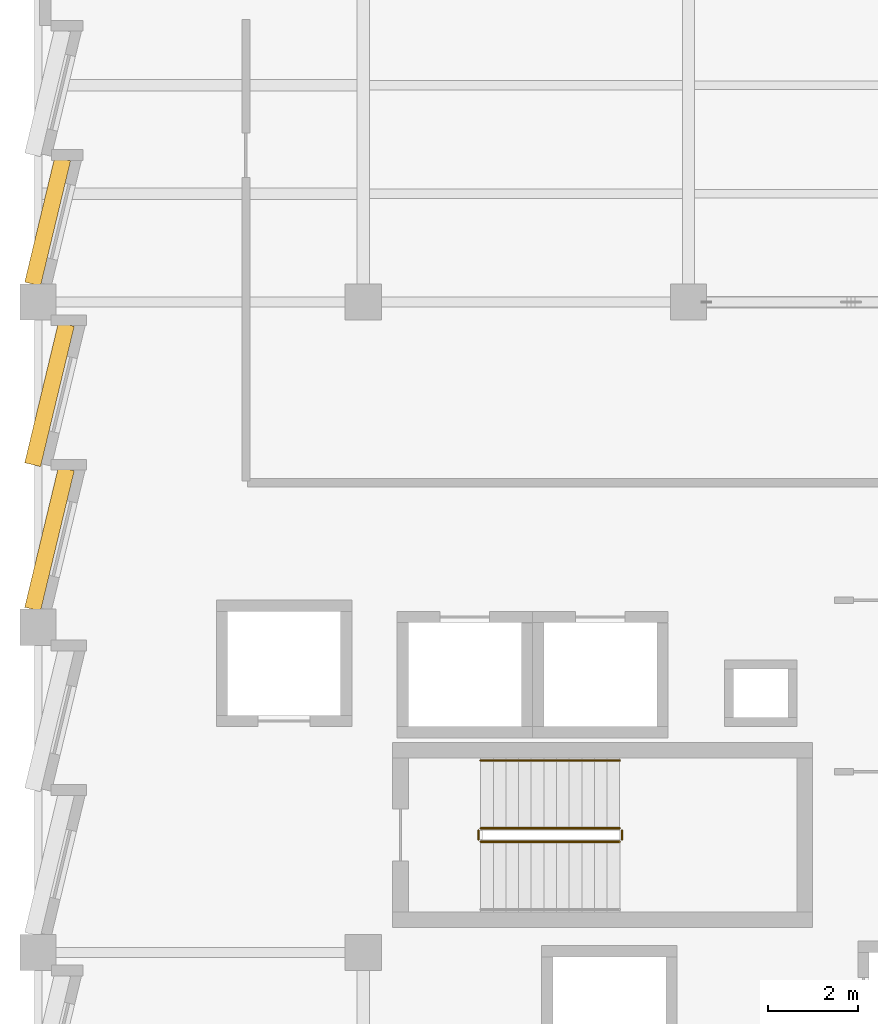
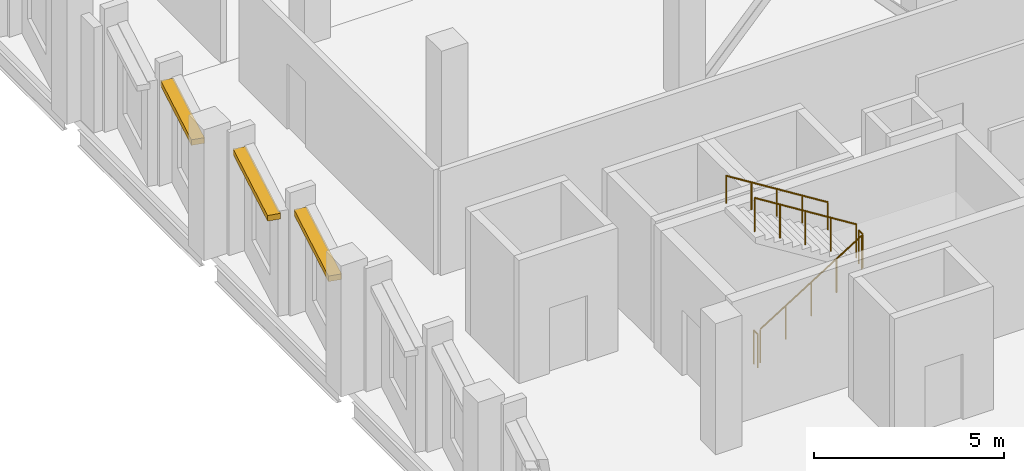
# One storey, part 82 of 94: 5 railings, 3 shading devices.
"""IFC4 building model written with IfcOpenShell, lengths in metres."""

from ifc_helpers import new_model, si_unit, direction, frame, origin, origin_2d, place, context, subcontext, project, spatial, rectangle, circle, extrude, material, layer, layer_set, type_object, element, save


model = new_model("IFC4")

# Units and contexts
model_context = context("Model", 3, precision=1e-05, world=origin(), true_north=direction((0.0, 1.0)))
body_context = subcontext(model_context, "Body", "Model", "MODEL_VIEW")
ifc_project = project(units=[si_unit("LENGTHUNIT", "METRE"), si_unit("AREAUNIT", "SQUARE_METRE"), si_unit("VOLUMEUNIT", "CUBIC_METRE"), si_unit("PLANEANGLEUNIT", "RADIAN"), si_unit("MASSUNIT", "GRAM", prefix="KILO")], contexts=[model_context])

# Site, building, storey
site_placement = place(None, origin())
site = spatial("IfcSite", under=ifc_project, at=site_placement, CompositionType="ELEMENT")
building_placement = place(site_placement, origin())
building = spatial("IfcBuilding", under=site, at=building_placement, Name="Kalmorath City Hall", CompositionType="ELEMENT")
storey_placement = place(building_placement, frame((0.0, 0.0, 14.699951171875)))
storey = spatial("IfcBuildingStorey", under=building, at=storey_placement, Name="L03", CompositionType="ELEMENT", Elevation=14.699951171875)

# Shading devices
ifc_material_1 = material(Name="Precast concrete C40/50", Category="concrete")
ifc_layer = layer(ifc_material_1, 0.179931640625)
ifc_layer_set = layer_set([ifc_layer], Name="Precast concrete C40/50")
shading_device_type = type_object("IfcShadingDeviceType", Name="Precast sawtooth brow sunshade 350", PredefinedType="USERDEFINED", material=ifc_layer_set)
for number, where, z_axis, x_axis, name in (
    (1, (0.2529296875, 23.55419921875, 3.15625), (0.0, 0.0, 1.0), (0.233445363856, 0.972369920398, 0.0), "L03 precast sawtooth hood #288"),
    (2, (0.2529296875, 26.75341796875, 3.15625), (0.0, 0.0, 1.0), (0.233445363856, 0.972369920398, 0.0), "L03 precast sawtooth hood #289"),
):
    element("IfcShadingDevice", number, at=place(storey_placement, frame(where, z_axis=z_axis, x_axis=x_axis)), inside=storey, type_object=shading_device_type, Name=name, ObjectType="SUNSHADE", PredefinedType="USERDEFINED", context=body_context, shape_type="SweptSolid", body=[
        extrude(rectangle(XDim=3.19482421875, YDim=0.360107421875, at=origin_2d()), origin(), (0.0, 0.0, 1.0), 0.179931640625),
    ])
shading_device_placement = place(storey_placement, frame((0.212158203125, 30.584228515625, 3.15625), z_axis=(0.0, 0.0, 1.0), x_axis=(0.233445363856, 0.972369920398, 0.0)))
element("IfcShadingDevice", 3, at=shading_device_placement, inside=storey, type_object=shading_device_type, Name="L03 precast sawtooth hood #290", ObjectType="SUNSHADE", PredefinedType="USERDEFINED", context=body_context, shape_type="SweptSolid", body=[
    extrude(rectangle(XDim=2.84521484375, YDim=0.360107421875, at=origin_2d()), origin(), (0.0, 0.0, 1.0), 0.179931640625),
])

# Railings
ifc_material_2 = material(Name="Painted steel guardrail", Category="steel")
railing_type_1 = type_object("IfcRailingType", Name="Protected stair guardrail 1100", PredefinedType="GUARDRAIL", material=ifc_material_2)
railing_1_placement = place(storey_placement, frame((9.800048828125, 16.85009765625, 0.175048828125)))
element("IfcRailing", 4, at=railing_1_placement, inside=storey, type_object=railing_type_1, Name="L03 ST-1 stair guard 1", PredefinedType="GUARDRAIL", context=body_context, shape_type="SweptSolid", body=[
    extrude(circle(Radius=0.02392578125, at=origin_2d()), frame((0.0, 0.0, 1.076171875), z_axis=(0.847979421464, 0.0, 0.530029150871), x_axis=(0.0, 1.0, 0.0)), (0.0, 0.0, 1.0), 3.632080078125),
    extrude(circle(Radius=0.02099609375, at=origin_2d()), origin(), (0.0, 0.0, 1.0), 1.052001953125),
    extrude(circle(Radius=0.02099609375, at=origin_2d()), frame((0.77001953125, 0.0, 0.481201171875)), (0.0, 0.0, 1.0), 1.052001953125),
    extrude(circle(Radius=0.02099609375, at=origin_2d()), frame((1.5400390625, 0.0, 0.96240234375)), (0.0, 0.0, 1.0), 1.052001953125),
    extrude(circle(Radius=0.02099609375, at=origin_2d()), frame((2.309814453125, 0.0, 1.44384765625)), (0.0, 0.0, 1.0), 1.052001953125),
    extrude(circle(Radius=0.02099609375, at=origin_2d()), frame((3.079833984375, 0.0, 1.925048828125)), (0.0, 0.0, 1.0), 1.052001953125),
])
railing_2_placement = place(storey_placement, frame((12.929931640625, 16.89990234375, 2.10009765625)))
element("IfcRailing", 5, at=railing_2_placement, inside=storey, type_object=railing_type_1, Name="L03 ST-1 stair guard 2", PredefinedType="GUARDRAIL", context=body_context, shape_type="SweptSolid", body=[
    extrude(circle(Radius=0.02392578125, at=origin_2d()), frame((0.0, 0.0, 1.076171875), z_axis=(0.0, 1.0, 0.0), x_axis=(-1.0, 0.0, 0.0)), (0.0, 0.0, 1.0), 0.2001953125),
    extrude(circle(Radius=0.02099609375, at=origin_2d()), origin(), (0.0, 0.0, 1.0), 1.052001953125),
    extrude(circle(Radius=0.02099609375, at=origin_2d()), frame((0.0, 0.2001953125, 0.0)), (0.0, 0.0, 1.0), 1.052001953125),
])
railing_3_placement = place(storey_placement, frame((12.8798828125, 17.14990234375, 2.275146484375)))
element("IfcRailing", 6, at=railing_3_placement, inside=storey, type_object=railing_type_1, Name="L03 ST-1 stair guard 3", PredefinedType="GUARDRAIL", context=body_context, shape_type="SweptSolid", body=[
    extrude(circle(Radius=0.02392578125, at=origin_2d()), frame((0.0, 0.0, 1.076171875), z_axis=(-0.848009633417, 0.0, 0.529980812513), x_axis=(0.0, -1.0, 0.0)), (0.0, 0.0, 1.0), 3.6318359375),
    extrude(circle(Radius=0.02099609375, at=origin_2d()), origin(), (0.0, 0.0, 1.0), 1.052001953125),
    extrude(circle(Radius=0.02099609375, at=origin_2d()), frame((-0.77001953125, 0.0, 0.481201171875)), (0.0, 0.0, 1.0), 1.052001953125),
    extrude(circle(Radius=0.02099609375, at=origin_2d()), frame((-1.5400390625, 0.0, 0.96240234375)), (0.0, 0.0, 1.0), 1.052001953125),
    extrude(circle(Radius=0.02099609375, at=origin_2d()), frame((-2.309814453125, 0.0, 1.443603515625)), (0.0, 0.0, 1.0), 1.052001953125),
    extrude(circle(Radius=0.02099609375, at=origin_2d()), frame((-3.079833984375, 0.0, 1.9248046875)), (0.0, 0.0, 1.0), 1.052001953125),
])
railing_4_placement = place(storey_placement, frame((9.75, 16.89990234375, 0.0)))
element("IfcRailing", 7, at=railing_4_placement, inside=storey, type_object=railing_type_1, Name="L03 ST-1 stair guard 4", PredefinedType="GUARDRAIL", context=body_context, shape_type="SweptSolid", body=[
    extrude(circle(Radius=0.02392578125, at=origin_2d()), frame((0.0, 0.0, 1.076171875), z_axis=(0.0, 1.0, 0.0), x_axis=(-1.0, 0.0, 0.0)), (0.0, 0.0, 1.0), 0.2001953125),
    extrude(circle(Radius=0.02099609375, at=origin_2d()), origin(), (0.0, 0.0, 1.0), 1.052001953125),
    extrude(circle(Radius=0.02099609375, at=origin_2d()), frame((0.0, 0.2001953125, 0.0)), (0.0, 0.0, 1.0), 1.052001953125),
])
ifc_material_3 = material(Name="Brushed stainless steel handrail", Category="steel")
railing_type_2 = type_object("IfcRailingType", Name="Stair pitch handrail 900", PredefinedType="HANDRAIL", material=ifc_material_3)
railing_5_placement = place(storey_placement, frame((12.8798828125, 18.64990234375, 2.275146484375)))
element("IfcRailing", 8, at=railing_5_placement, inside=storey, type_object=railing_type_2, Name="L03 ST-1 stair handrail 2", PredefinedType="HANDRAIL", context=body_context, shape_type="SweptSolid", body=[
    extrude(circle(Radius=0.02392578125, at=origin_2d()), frame((0.0, 0.0, 0.8759765625), z_axis=(-0.848009633417, 0.0, 0.529980812513), x_axis=(0.0, -1.0, 0.0)), (0.0, 0.0, 1.0), 3.6318359375),
    extrude(circle(Radius=0.02099609375, at=origin_2d()), origin(), (0.0, 0.0, 1.0), 0.851806640625),
    extrude(circle(Radius=0.02099609375, at=origin_2d()), frame((-0.77001953125, 0.0, 0.481201171875)), (0.0, 0.0, 1.0), 0.851806640625),
    extrude(circle(Radius=0.02099609375, at=origin_2d()), frame((-1.5400390625, 0.0, 0.96240234375)), (0.0, 0.0, 1.0), 0.851806640625),
    extrude(circle(Radius=0.02099609375, at=origin_2d()), frame((-2.309814453125, 0.0, 1.443603515625)), (0.0, 0.0, 1.0), 0.851806640625),
    extrude(circle(Radius=0.02099609375, at=origin_2d()), frame((-3.079833984375, 0.0, 1.9248046875)), (0.0, 0.0, 1.0), 0.851806640625),
])

save(model, "model.ifc")
